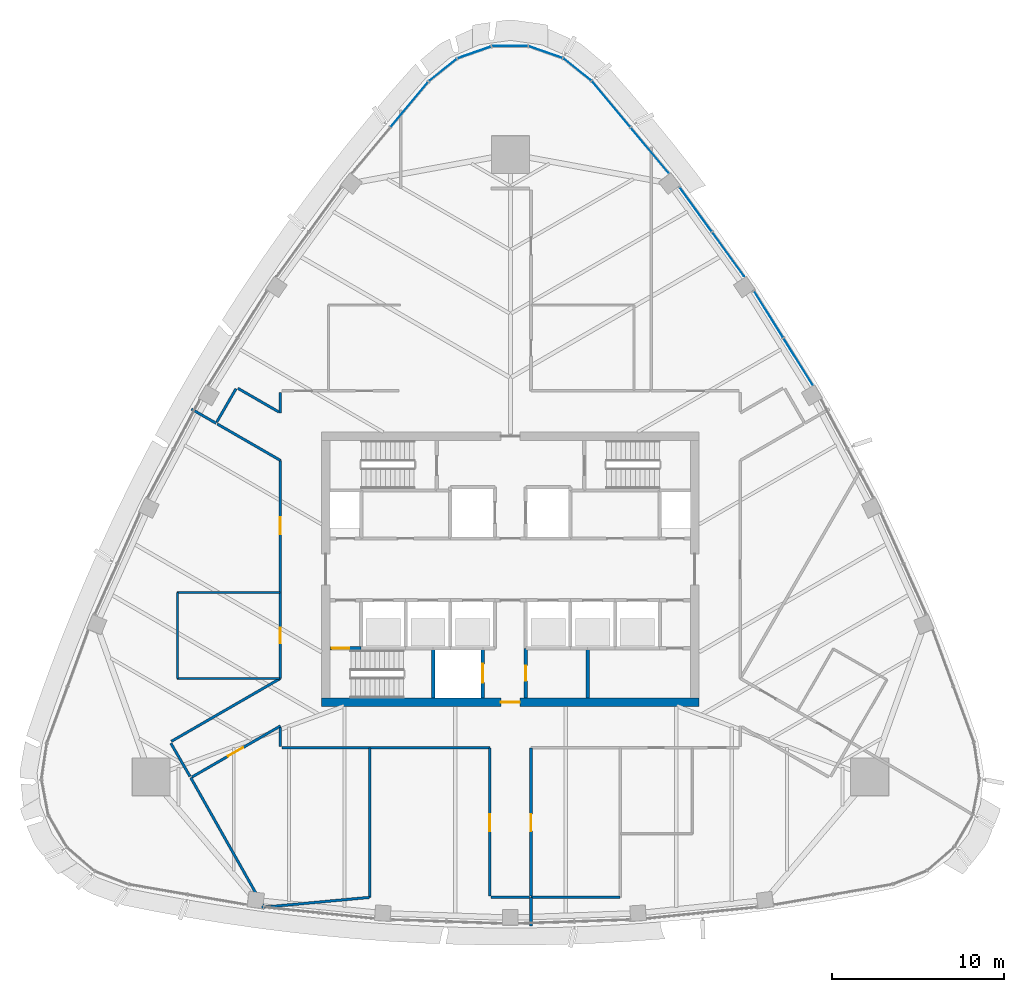
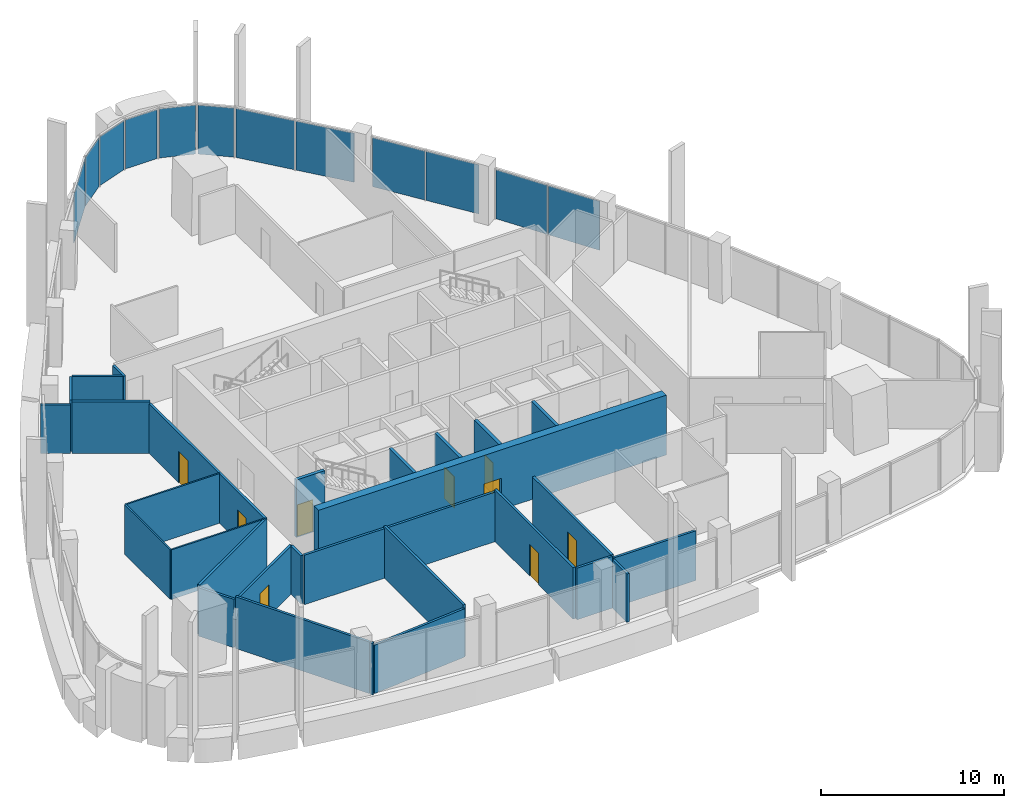
# One storey, part 8 of 18: 29 walls, 12 plates, 9 doors, 9 openings, 9 elements without a shape of their own.
"""IFC4 building model written with IfcOpenShell, lengths in metres."""

from ifc_helpers import new_model, si_unit, direction, frame, frame_2d, origin, origin_2d, place, context, subcontext, project, spatial, rectangle, extrude, material, layer, layer_set, type_object, element, fill, aggregate, save


model = new_model("IFC4")

# Units and contexts
model_context = context("Model", 3, precision=1e-05, world=origin(), true_north=direction((0.0, 1.0)))
body_context = subcontext(model_context, "Body", "Model", "MODEL_VIEW")
ifc_project = project(units=[si_unit("LENGTHUNIT", "METRE"), si_unit("AREAUNIT", "SQUARE_METRE"), si_unit("VOLUMEUNIT", "CUBIC_METRE"), si_unit("PLANEANGLEUNIT", "RADIAN"), si_unit("MASSUNIT", "GRAM", prefix="KILO")], contexts=[model_context])

# Site, building, storey
site_placement = place(None, origin())
site = spatial("IfcSite", under=ifc_project, at=site_placement, CompositionType="ELEMENT")
building_placement = place(site_placement, origin())
building = spatial("IfcBuilding", under=site, at=building_placement, Name="Sierra Prisma Convention Tower", CompositionType="ELEMENT")
storey_placement = place(building_placement, frame((0.0, 0.0, 279.0)))
storey = spatial("IfcBuildingStorey", under=building, at=storey_placement, Name="L63", CompositionType="ELEMENT", Elevation=279.0)

# Curtain wall, plates
ifc_material_1 = material(Name="Aluminium and glass curtain wall", Category="aluminium")
ifc_layer_1 = layer(ifc_material_1, 0.179931640625)
ifc_layer_set_1 = layer_set([ifc_layer_1], Name="CW-1 Plain shaft curtain wall")
curtain_wall_type = type_object("IfcCurtainWallType", Name="CW-1 Plain shaft curtain wall", PredefinedType="NOTDEFINED", material=ifc_layer_set_1)
curtain_wall_1_placement = place(storey_placement, origin())
curtain_wall_1 = element("IfcCurtainWall", 1, at=curtain_wall_1_placement, inside=storey, type_object=curtain_wall_type, Name="CW-1 NE4 L63", PredefinedType="NOTDEFINED")
ifc_material_2 = material(Name="Tinted glass bronze-grey IGU", Category="glass")
ifc_layer_2 = layer(ifc_material_2, 0.028076171875)
ifc_layer_set_2 = layer_set([ifc_layer_2], Name="CW-1 glass panel")
plate_type = type_object("IfcPlateType", Name="CW-1 glass panel", PredefinedType="CURTAIN_PANEL", material=ifc_layer_set_2)
plate_1_placement = place(storey_placement, frame((16.7626953125, 12.10986328125, 0.0), z_axis=(0.0, 0.0, 1.0), x_axis=(-0.529446263184, 0.848343476665, 0.0)))
plate_1 = element("IfcPlate", 2, at=plate_1_placement, type_object=plate_type, Name="CW-1 panel NE4.1", PredefinedType="CURTAIN_PANEL", context=body_context, shape_type="SweptSolid", body=[
    extrude(rectangle(XDim=3.1748046875, YDim=0.028076171875, at=origin_2d()), origin(), (0.0, 0.0, 1.0), 3.280029296875),
])
plate_2_placement = place(storey_placement, frame((15.044677734375, 14.86279296875, 0.0), z_axis=(0.0, 0.0, 1.0), x_axis=(-0.529446263184, 0.848343476665, 0.0)))
plate_2 = element("IfcPlate", 3, at=plate_2_placement, type_object=plate_type, Name="CW-1 panel NE4.2", PredefinedType="CURTAIN_PANEL", context=body_context, shape_type="SweptSolid", body=[
    extrude(rectangle(XDim=3.1748046875, YDim=0.028076171875, at=origin_2d()), origin(), (0.0, 0.0, 1.0), 3.280029296875),
])
aggregate(curtain_wall_1, [plate_1, plate_2])

curtain_wall_2_placement = place(storey_placement, origin())
curtain_wall_2 = element("IfcCurtainWall", 4, at=curtain_wall_2_placement, inside=storey, type_object=curtain_wall_type, Name="CW-1 NE5 L63", PredefinedType="NOTDEFINED")
plate_3_placement = place(storey_placement, frame((12.691162109375, 18.361572265625, 0.0), z_axis=(0.0, 0.0, 1.0), x_axis=(-0.586430972053, 0.8099992068, 0.0)))
plate_3 = element("IfcPlate", 5, at=plate_3_placement, type_object=plate_type, Name="CW-1 panel NE5.1", PredefinedType="CURTAIN_PANEL", context=body_context, shape_type="SweptSolid", body=[
    extrude(rectangle(XDim=3.15966796875, YDim=0.028076171875, at=origin_2d()), origin(), (0.0, 0.0, 1.0), 3.280029296875),
])
plate_4_placement = place(storey_placement, frame((10.797119140625, 20.9775390625, 0.0), z_axis=(0.0, 0.0, 1.0), x_axis=(-0.586430972053, 0.8099992068, 0.0)))
plate_4 = element("IfcPlate", 6, at=plate_4_placement, type_object=plate_type, Name="CW-1 panel NE5.2", PredefinedType="CURTAIN_PANEL", context=body_context, shape_type="SweptSolid", body=[
    extrude(rectangle(XDim=3.15966796875, YDim=0.028076171875, at=origin_2d()), origin(), (0.0, 0.0, 1.0), 3.280029296875),
])
aggregate(curtain_wall_2, [plate_3, plate_4])

curtain_wall_3_placement = place(storey_placement, origin())
curtain_wall_3 = element("IfcCurtainWall", 7, at=curtain_wall_3_placement, inside=storey, type_object=curtain_wall_type, Name="CW-1 NE6 L63", PredefinedType="NOTDEFINED")
plate_5_placement = place(storey_placement, frame((8.116943359375, 24.41943359375, 0.0), z_axis=(0.0, 0.0, 1.0), x_axis=(-0.640649169323, 0.767833733204, 0.0)))
plate_5 = element("IfcPlate", 8, at=plate_5_placement, type_object=plate_type, Name="CW-1 panel NE6.1", PredefinedType="CURTAIN_PANEL", context=body_context, shape_type="SweptSolid", body=[
    extrude(rectangle(XDim=3.40576171875, YDim=0.028076171875, at=origin_2d()), origin(), (0.0, 0.0, 1.0), 3.280029296875),
])
plate_6_placement = place(storey_placement, frame((5.890380859375, 27.088134765625, 0.0), z_axis=(0.0, 0.0, 1.0), x_axis=(-0.640649169323, 0.767833733204, 0.0)))
plate_6 = element("IfcPlate", 9, at=plate_6_placement, type_object=plate_type, Name="CW-1 panel NE6.2", PredefinedType="CURTAIN_PANEL", context=body_context, shape_type="SweptSolid", body=[
    extrude(rectangle(XDim=3.40576171875, YDim=0.028076171875, at=origin_2d()), origin(), (0.0, 0.0, 1.0), 3.280029296875),
])
aggregate(curtain_wall_3, [plate_5, plate_6])

# Curtain wall, plate
curtain_wall_4_placement = place(storey_placement, origin())
curtain_wall_4 = element("IfcCurtainWall", 10, at=curtain_wall_4_placement, inside=storey, type_object=curtain_wall_type, Name="CW-1 N1 L63", PredefinedType="NOTDEFINED")
plate_7_placement = place(storey_placement, frame((3.919189453125, 29.114990234375, 0.0), z_axis=(0.0, 0.0, 1.0), x_axis=(-0.782027996675, 0.623243301141, 0.0)))
plate_7 = element("IfcPlate", 11, at=plate_7_placement, type_object=plate_type, Name="CW-1 panel N1.1", PredefinedType="CURTAIN_PANEL", context=body_context, shape_type="SweptSolid", body=[
    extrude(rectangle(XDim=1.995849609375, YDim=0.028076171875, at=origin_2d()), origin(), (0.0, 0.0, 1.0), 3.280029296875),
])
aggregate(curtain_wall_4, [plate_7])

curtain_wall_5_placement = place(storey_placement, origin())
curtain_wall_5 = element("IfcCurtainWall", 12, at=curtain_wall_5_placement, inside=storey, type_object=curtain_wall_type, Name="CW-1 N2 L63", PredefinedType="NOTDEFINED")
plate_8_placement = place(storey_placement, frame((2.075927734375, 30.13330078125, 0.0), z_axis=(0.0, 0.0, 1.0), x_axis=(-0.943935378263, 0.330130279833, 0.0)))
plate_8 = element("IfcPlate", 13, at=plate_8_placement, type_object=plate_type, Name="CW-1 panel N2.1", PredefinedType="CURTAIN_PANEL", context=body_context, shape_type="SweptSolid", body=[
    extrude(rectangle(XDim=1.995849609375, YDim=0.028076171875, at=origin_2d()), origin(), (0.0, 0.0, 1.0), 3.280029296875),
])
aggregate(curtain_wall_5, [plate_8])

curtain_wall_6_placement = place(storey_placement, origin())
curtain_wall_6 = element("IfcCurtainWall", 14, at=curtain_wall_6_placement, inside=storey, type_object=curtain_wall_type, Name="CW-1 N3 L63", PredefinedType="NOTDEFINED")
plate_9_placement = place(storey_placement, frame((0.0, 30.48583984375, 0.0), z_axis=(0.0, 0.0, 1.0), x_axis=(-1.0, 0.0, 0.0)))
plate_9 = element("IfcPlate", 15, at=plate_9_placement, type_object=plate_type, Name="CW-1 panel N3.1", PredefinedType="CURTAIN_PANEL", context=body_context, shape_type="SweptSolid", body=[
    extrude(rectangle(XDim=1.995849609375, YDim=0.028076171875, at=origin_2d()), origin(), (0.0, 0.0, 1.0), 3.280029296875),
])
aggregate(curtain_wall_6, [plate_9])

curtain_wall_7_placement = place(storey_placement, origin())
curtain_wall_7 = element("IfcCurtainWall", 16, at=curtain_wall_7_placement, inside=storey, type_object=curtain_wall_type, Name="CW-1 N4 L63", PredefinedType="NOTDEFINED")
plate_10_placement = place(storey_placement, frame((-2.075927734375, 30.13330078125, 0.0), z_axis=(0.0, 0.0, 1.0), x_axis=(-0.943935378263, -0.330130279833, 0.0)))
plate_10 = element("IfcPlate", 17, at=plate_10_placement, type_object=plate_type, Name="CW-1 panel N4.1", PredefinedType="CURTAIN_PANEL", context=body_context, shape_type="SweptSolid", body=[
    extrude(rectangle(XDim=1.995849609375, YDim=0.028076171875, at=origin_2d()), origin(), (0.0, 0.0, 1.0), 3.280029296875),
])
aggregate(curtain_wall_7, [plate_10])

curtain_wall_8_placement = place(storey_placement, origin())
curtain_wall_8 = element("IfcCurtainWall", 18, at=curtain_wall_8_placement, inside=storey, type_object=curtain_wall_type, Name="CW-1 N5 L63", PredefinedType="NOTDEFINED")
plate_11_placement = place(storey_placement, frame((-3.919189453125, 29.114990234375, 0.0), z_axis=(0.0, 0.0, 1.0), x_axis=(-0.782027996675, -0.623243301141, 0.0)))
plate_11 = element("IfcPlate", 19, at=plate_11_placement, type_object=plate_type, Name="CW-1 panel N5.1", PredefinedType="CURTAIN_PANEL", context=body_context, shape_type="SweptSolid", body=[
    extrude(rectangle(XDim=1.995849609375, YDim=0.028076171875, at=origin_2d()), origin(), (0.0, 0.0, 1.0), 3.280029296875),
])
aggregate(curtain_wall_8, [plate_11])

curtain_wall_9_placement = place(storey_placement, origin())
curtain_wall_9 = element("IfcCurtainWall", 20, at=curtain_wall_9_placement, inside=storey, type_object=curtain_wall_type, Name="CW-1 NW1 L63", PredefinedType="NOTDEFINED")
plate_12_placement = place(storey_placement, frame((-5.890380859375, 27.088134765625, 0.0), z_axis=(0.0, 0.0, 1.0), x_axis=(-0.640649169323, -0.767833733204, 0.0)))
plate_12 = element("IfcPlate", 21, at=plate_12_placement, type_object=plate_type, Name="CW-1 panel NW1.1", PredefinedType="CURTAIN_PANEL", context=body_context, shape_type="SweptSolid", body=[
    extrude(rectangle(XDim=3.40576171875, YDim=0.028076171875, at=origin_2d()), origin(), (0.0, 0.0, 1.0), 3.280029296875),
])
aggregate(curtain_wall_9, [plate_12])

# Walls
ifc_material_3 = material(Name="Gypsum board partition", Category="gypsum")
ifc_layer_3 = layer(ifc_material_3, 0.10009765625)
ifc_layer_set_3 = layer_set([ifc_layer_3], Name="Bathroom partition 100")
wall_type_1 = type_object("IfcWallType", Name="Bathroom partition 100", PredefinedType="PARTITIONING", material=ifc_layer_set_3)
wall_1_placement = place(storey_placement, frame((-13.4599609375, -6.350830078125, 0.0), z_axis=(0.0, 0.0, 1.0), x_axis=(-1.0, 0.0, 0.0)))
element("IfcWall", 22, at=wall_1_placement, inside=storey, type_object=wall_type_1, Name="Partition L63 bath 1", PredefinedType="PARTITIONING", context=body_context, shape_type="SweptSolid", body=[
    extrude(rectangle(XDim=5.93994140625, YDim=0.10009765625, at=frame_2d((2.969970703125, 0.0))), origin(), (0.0, 0.0, 1.0), 3.31689453125),
])
wall_2_placement = place(storey_placement, frame((-19.39990234375, -6.350830078125, 0.0), z_axis=(0.0, 0.0, 1.0), x_axis=(0.0, 1.0, 0.0)))
element("IfcWall", 23, at=wall_2_placement, inside=storey, type_object=wall_type_1, Name="Partition L63 bath 2", PredefinedType="PARTITIONING", context=body_context, shape_type="SweptSolid", body=[
    extrude(rectangle(XDim=5.0, YDim=0.10009765625, at=frame_2d((2.5, 0.0))), origin(), (0.0, 0.0, 1.0), 3.31689453125),
])
wall_3_placement = place(storey_placement, frame((-19.39990234375, -1.350830078125, 0.0), z_axis=(0.0, 0.0, 1.0), x_axis=(1.0, 0.0, 0.0)))
element("IfcWall", 24, at=wall_3_placement, inside=storey, type_object=wall_type_1, Name="Partition L63 bath 3", PredefinedType="PARTITIONING", context=body_context, shape_type="SweptSolid", body=[
    extrude(rectangle(XDim=5.969970703125, YDim=0.10009765625, at=frame_2d((2.98486328125, 0.0))), origin(), (0.0, 0.0, 1.0), 3.31689453125),
])

# Wall, opening, door
ifc_material_4 = material(Name="Concrete C30/37", Category="concrete")
ifc_layer_4 = layer(ifc_material_4, 0.199951171875)
ifc_layer_set_4 = layer_set([ifc_layer_4], Name="Core wall RC 200 C30/37")
wall_type_2 = type_object("IfcWallType", Name="Core wall RC 200 C30/37", PredefinedType="SOLIDWALL", material=ifc_layer_set_4)
wall_4_placement = place(storey_placement, frame((-10.5, -4.60009765625, 0.0), z_axis=(0.0, 0.0, 1.0), x_axis=(1.0, 0.0, 0.0)))
wall_4 = element("IfcWall", 25, at=wall_4_placement, inside=storey, type_object=wall_type_2, Name="Core wall L63 1", PredefinedType="SOLIDWALL", context=body_context, shape_type="SweptSolid", body=[
    extrude(rectangle(XDim=1.800048828125, YDim=0.199951171875, at=frame_2d((0.89990234375, 0.0))), origin(), (0.0, 0.0, 1.0), 3.85009765625),
])
opening_1_placement = place(wall_4_placement, frame((0.10009765625, 0.0, 0.0)))
opening_1 = element("IfcOpeningElement", 26, at=opening_1_placement, cuts=wall_4, Name="Opening L63-D015", PredefinedType="OPENING", context=body_context, shape_type="SweptSolid", body=[
    extrude(rectangle(XDim=1.0, YDim=2.10009765625, at=frame_2d((0.5, 1.050048828125))), frame((0.0, 0.10009765625, 0.0), z_axis=(0.0, -1.0, 0.0), x_axis=(1.0, 0.0, 0.0)), (0.0, 0.0, 1.0), 0.199951171875),
])
ifc_material_5 = material(Name="Steel fire door leaf", Category="steel")
door_type_1 = type_object("IfcDoorType", Name="Door 1000x2100 FD90S", OperationType="SINGLE_SWING_LEFT", PredefinedType="DOOR", material=ifc_material_5)
door_1_placement = place(opening_1_placement, origin())
door_1 = element("IfcDoor", 27, at=door_1_placement, inside=storey, type_object=door_type_1, Name="Door L63 30", OperationType="SINGLE_SWING_LEFT", OverallHeight=2.10009765625, OverallWidth=1.0, PredefinedType="DOOR", context=body_context, shape_type="SweptSolid", body=[
    extrude(rectangle(XDim=1.0, YDim=2.10009765625, at=frame_2d((0.5, 1.050048828125))), frame((0.0, 0.02490234375, 0.0), z_axis=(0.0, -1.0, 0.0), x_axis=(1.0, 0.0, 0.0)), (0.0, 0.0, 1.0), 0.050048828125),
])
fill(opening_1, door_1)

# Wall
wall_5_placement = place(storey_placement, frame((-4.5, -4.60009765625, 0.0), z_axis=(0.0, 0.0, 1.0), x_axis=(0.0, -1.0, 0.0)))
element("IfcWall", 28, at=wall_5_placement, inside=storey, type_object=wall_type_2, Name="Core wall L63 14", PredefinedType="SOLIDWALL", context=body_context, shape_type="SweptSolid", body=[
    extrude(rectangle(XDim=2.89990234375, YDim=0.199951171875, at=frame_2d((1.449951171875, 0.0))), origin(), (0.0, 0.0, 1.0), 3.85009765625),
])

# Wall, opening, door
wall_6_placement = place(storey_placement, frame((-1.60009765625, -7.5, 0.0), z_axis=(0.0, 0.0, 1.0), x_axis=(0.0, 1.0, 0.0)))
wall_6 = element("IfcWall", 29, at=wall_6_placement, inside=storey, type_object=wall_type_2, Name="Core wall L63 26", PredefinedType="SOLIDWALL", context=body_context, shape_type="SweptSolid", body=[
    extrude(rectangle(XDim=2.89990234375, YDim=0.199951171875, at=frame_2d((1.449951171875, 0.0))), origin(), (0.0, 0.0, 1.0), 3.85009765625),
])
opening_2_placement = place(wall_6_placement, frame((0.89990234375, 0.0, 0.0)))
opening_2 = element("IfcOpeningElement", 30, at=opening_2_placement, cuts=wall_6, Name="Opening L63-D009", PredefinedType="OPENING", context=body_context, shape_type="SweptSolid", body=[
    extrude(rectangle(XDim=1.10009765625, YDim=2.10009765625, at=frame_2d((0.550048828125, 1.050048828125))), frame((0.0, 0.10009765625, 0.0), z_axis=(0.0, -1.0, 0.0), x_axis=(1.0, 0.0, 0.0)), (0.0, 0.0, 1.0), 0.199951171875),
])
ifc_material_6 = material(Name="Steel fire door leaf", Category="steel")
door_type_2 = type_object("IfcDoorType", Name="Door 1100x2100 EI 90 sliding lift landing", OperationType="SLIDING_TO_LEFT", PredefinedType="DOOR", material=ifc_material_6)
door_2_placement = place(opening_2_placement, origin())
door_2 = element("IfcDoor", 31, at=door_2_placement, inside=storey, type_object=door_type_2, Name="Door L63 24", OperationType="SLIDING_TO_RIGHT", OverallHeight=2.10009765625, OverallWidth=1.10009765625, PredefinedType="DOOR", context=body_context, shape_type="SweptSolid", body=[
    extrude(rectangle(XDim=1.10009765625, YDim=2.10009765625, at=frame_2d((0.550048828125, 1.050048828125))), frame((0.0, 0.02490234375, 0.0), z_axis=(0.0, -1.0, 0.0), x_axis=(1.0, 0.0, 0.0)), (0.0, 0.0, 1.0), 0.050048828125),
])
fill(opening_2, door_2)

wall_7_placement = place(storey_placement, frame((0.89990234375, -4.60009765625, 0.0), z_axis=(0.0, 0.0, 1.0), x_axis=(0.0, -1.0, 0.0)))
wall_7 = element("IfcWall", 32, at=wall_7_placement, inside=storey, type_object=wall_type_2, Name="Core wall L63 31", PredefinedType="SOLIDWALL", context=body_context, shape_type="SweptSolid", body=[
    extrude(rectangle(XDim=2.89990234375, YDim=0.199951171875, at=frame_2d((1.449951171875, 0.0))), origin(), (0.0, 0.0, 1.0), 3.85009765625),
])
opening_3_placement = place(wall_7_placement, frame((1.0, 0.0, 0.0)))
opening_3 = element("IfcOpeningElement", 33, at=opening_3_placement, cuts=wall_7, Name="Opening L63-D022", PredefinedType="OPENING", context=body_context, shape_type="SweptSolid", body=[
    extrude(rectangle(XDim=0.89990234375, YDim=2.10009765625, at=frame_2d((0.449951171875, 1.050048828125))), frame((0.0, 0.10009765625, 0.0), z_axis=(0.0, -1.0, 0.0), x_axis=(1.0, 0.0, 0.0)), (0.0, 0.0, 1.0), 0.199951171875),
])
ifc_material_7 = material(Name="Steel fire door leaf", Category="steel")
door_type_3 = type_object("IfcDoorType", Name="Door 900x2100 FD30S", OperationType="SINGLE_SWING_LEFT", PredefinedType="DOOR", material=ifc_material_7)
door_3_placement = place(opening_3_placement, origin())
door_3 = element("IfcDoor", 34, at=door_3_placement, inside=storey, type_object=door_type_3, Name="Door L63 37", OperationType="SINGLE_SWING_RIGHT", OverallHeight=2.10009765625, OverallWidth=0.89990234375, PredefinedType="DOOR", context=body_context, shape_type="SweptSolid", body=[
    extrude(rectangle(XDim=0.89990234375, YDim=2.10009765625, at=frame_2d((0.449951171875, 1.050048828125))), frame((0.0, 0.02490234375, 0.0), z_axis=(0.0, -1.0, 0.0), x_axis=(1.0, 0.0, 0.0)), (0.0, 0.0, 1.0), 0.050048828125),
])
fill(opening_3, door_3)

# Wall
wall_8_placement = place(storey_placement, frame((4.5, -4.60009765625, 0.0), z_axis=(0.0, 0.0, 1.0), x_axis=(0.0, -1.0, 0.0)))
element("IfcWall", 35, at=wall_8_placement, inside=storey, type_object=wall_type_2, Name="Core wall L63 47", PredefinedType="SOLIDWALL", context=body_context, shape_type="SweptSolid", body=[
    extrude(rectangle(XDim=2.89990234375, YDim=0.199951171875, at=frame_2d((1.449951171875, 0.0))), origin(), (0.0, 0.0, 1.0), 3.85009765625),
])

# Wall, opening, door
ifc_material_8 = material(Name="Concrete C50/60", Category="concrete")
ifc_layer_5 = layer(ifc_material_8, 0.5)
ifc_layer_set_5 = layer_set([ifc_layer_5], Name="Core wall RC 500 C50/60")
wall_type_3 = type_object("IfcWallType", Name="Core wall RC 500 C50/60", PredefinedType="SHEAR", material=ifc_layer_set_5)
wall_9_placement = place(storey_placement, frame((-11.0, -7.75, 0.0), z_axis=(0.0, 0.0, 1.0), x_axis=(1.0, 0.0, 0.0)))
wall_9 = element("IfcWall", 36, at=wall_9_placement, inside=storey, type_object=wall_type_3, Name="Core wall S L63", PredefinedType="SHEAR", context=body_context, shape_type="SweptSolid", body=[
    extrude(rectangle(XDim=22.0, YDim=0.5, at=frame_2d((11.0, 0.0))), origin(), (0.0, 0.0, 1.0), 4.0),
])
opening_4_placement = place(wall_9_placement, frame((10.449951171875, 0.0, 0.0)))
opening_4 = element("IfcOpeningElement", 37, at=opening_4_placement, cuts=wall_9, Name="Opening L63-D040", PredefinedType="OPENING", context=body_context, shape_type="SweptSolid", body=[
    extrude(rectangle(XDim=1.10009765625, YDim=2.10009765625, at=frame_2d((0.550048828125, 1.050048828125))), frame((0.0, 0.25, 0.0), z_axis=(0.0, -1.0, 0.0), x_axis=(1.0, 0.0, 0.0)), (0.0, 0.0, 1.0), 0.5),
])
ifc_material_9 = material(Name="Steel fire door leaf", Category="steel")
door_type_4 = type_object("IfcDoorType", Name="Door 1100x2100 FD30S", OperationType="SINGLE_SWING_LEFT", PredefinedType="DOOR", material=ifc_material_9)
door_4_placement = place(opening_4_placement, origin())
door_4 = element("IfcDoor", 38, at=door_4_placement, inside=storey, type_object=door_type_4, Name="Door L63 41", OperationType="SINGLE_SWING_RIGHT", OverallHeight=2.10009765625, OverallWidth=1.10009765625, PredefinedType="DOOR", context=body_context, shape_type="SweptSolid", body=[
    extrude(rectangle(XDim=1.10009765625, YDim=2.10009765625, at=frame_2d((0.550048828125, 1.050048828125))), frame((0.0, 0.02490234375, 0.0), z_axis=(0.0, -1.0, 0.0), x_axis=(1.0, 0.0, 0.0)), (0.0, 0.0, 1.0), 0.050048828125),
])
fill(opening_4, door_4)

# Walls
ifc_material_10 = material(Name="Gypsum board partition", Category="gypsum")
ifc_layer_6 = layer(ifc_material_10, 0.14990234375)
ifc_layer_set_6 = layer_set([ifc_layer_6], Name="Corridor wall 150 gypsum EI 60")
wall_type_4 = type_object("IfcWallType", Name="Corridor wall 150 gypsum EI 60", PredefinedType="PARTITIONING", material=ifc_layer_set_6)
wall_10_placement = place(storey_placement, frame((-19.783447265625, -10.128662109375, 0.0), z_axis=(0.0, 0.0, 1.0), x_axis=(0.500030632641, -0.866007717299, 0.0)))
element("IfcWall", 39, at=wall_10_placement, inside=storey, type_object=wall_type_4, Name="Partition L63 corr 1", PredefinedType="PARTITIONING", context=body_context, shape_type="SweptSolid", body=[
    extrude(rectangle(XDim=2.239990234375, YDim=0.14990234375, at=frame_2d((1.1201171875, 0.0))), origin(), (0.0, 0.0, 1.0), 3.23291015625),
])
wall_11_placement = place(storey_placement, frame((-17.080322265625, 8.4755859375, 0.0), z_axis=(0.0, 0.0, 1.0), x_axis=(0.866039217307, -0.499976073514, 0.0)))
element("IfcWall", 40, at=wall_11_placement, inside=storey, type_object=wall_type_4, Name="Partition L63 corr 2", PredefinedType="PARTITIONING", context=body_context, shape_type="SweptSolid", body=[
    extrude(rectangle(XDim=4.249755859375, YDim=0.14990234375, at=frame_2d((2.125, 0.0))), origin(), (0.0, 0.0, 1.0), 3.449951171875),
])

# Wall, openings, doors
wall_12_placement = place(storey_placement, frame((-13.39990234375, 6.350830078125, 0.0), z_axis=(0.0, 0.0, 1.0), x_axis=(0.0, -1.0, 0.0)))
wall_12 = element("IfcWall", 41, at=wall_12_placement, inside=storey, type_object=wall_type_4, Name="Partition L63 corr 3", PredefinedType="PARTITIONING", context=body_context, shape_type="SweptSolid", body=[
    extrude(rectangle(XDim=12.70166015625, YDim=0.14990234375, at=frame_2d((6.350830078125, 0.0))), origin(), (0.0, 0.0, 1.0), 3.31689453125),
])
opening_5_placement = place(wall_12_placement, frame((9.751708984375, 0.0, 0.0)))
opening_5 = element("IfcOpeningElement", 42, at=opening_5_placement, cuts=wall_12, Name="Opening L63-D029", PredefinedType="OPENING", context=body_context, shape_type="SweptSolid", body=[
    extrude(rectangle(XDim=0.89990234375, YDim=2.10009765625, at=frame_2d((0.449951171875, 1.050048828125))), frame((0.0, 0.074951171875, 0.0), z_axis=(0.0, -1.0, 0.0), x_axis=(1.0, 0.0, 0.0)), (0.0, 0.0, 1.0), 0.14990234375),
])
opening_6_placement = place(wall_12_placement, frame((3.30078125, 0.0, 0.0)))
opening_6 = element("IfcOpeningElement", 43, at=opening_6_placement, cuts=wall_12, Name="Opening L63-D030", PredefinedType="OPENING", context=body_context, shape_type="SweptSolid", body=[
    extrude(rectangle(XDim=1.0, YDim=2.10009765625, at=frame_2d((0.5, 1.050048828125))), frame((0.0, 0.074951171875, 0.0), z_axis=(0.0, -1.0, 0.0), x_axis=(1.0, 0.0, 0.0)), (0.0, 0.0, 1.0), 0.14990234375),
])
ifc_material_11 = material(Name="Steel fire door leaf", Category="steel")
door_type_5 = type_object("IfcDoorType", Name="Door 1000x2100 FD30S", OperationType="SINGLE_SWING_LEFT", PredefinedType="DOOR", material=ifc_material_11)
door_5_placement = place(opening_6_placement, origin())
door_5 = element("IfcDoor", 44, at=door_5_placement, inside=storey, type_object=door_type_5, Name="Door L63 8", OperationType="SINGLE_SWING_LEFT", OverallHeight=2.10009765625, OverallWidth=1.0, PredefinedType="DOOR", context=body_context, shape_type="SweptSolid", body=[
    extrude(rectangle(XDim=1.0, YDim=2.10009765625, at=frame_2d((0.5, 1.050048828125))), frame((0.0, 0.02490234375, 0.0), z_axis=(0.0, -1.0, 0.0), x_axis=(1.0, 0.0, 0.0)), (0.0, 0.0, 1.0), 0.050048828125),
])
fill(opening_6, door_5)
door_6_placement = place(opening_5_placement, origin())
door_6 = element("IfcDoor", 45, at=door_6_placement, inside=storey, type_object=door_type_3, Name="Door L63 7", OperationType="SINGLE_SWING_LEFT", OverallHeight=2.10009765625, OverallWidth=0.89990234375, PredefinedType="DOOR", context=body_context, shape_type="SweptSolid", body=[
    extrude(rectangle(XDim=0.89990234375, YDim=2.10009765625, at=frame_2d((0.449951171875, 1.050048828125))), frame((0.0, 0.02490234375, 0.0), z_axis=(0.0, -1.0, 0.0), x_axis=(1.0, 0.0, 0.0)), (0.0, 0.0, 1.0), 0.050048828125),
])
fill(opening_5, door_6)

# Wall
wall_13_placement = place(storey_placement, frame((-13.39990234375, -6.350830078125, 0.0), z_axis=(0.0, 0.0, 1.0), x_axis=(-0.866035423939, -0.499982644181, 0.0)))
element("IfcWall", 46, at=wall_13_placement, inside=storey, type_object=wall_type_4, Name="Partition L63 corr 4", PredefinedType="PARTITIONING", context=body_context, shape_type="SweptSolid", body=[
    extrude(rectangle(XDim=7.337158203125, YDim=0.14990234375, at=frame_2d((3.66845703125, 0.0))), origin(), (0.0, 0.0, 1.0), 3.31689453125),
])

# Wall, opening, door
wall_14_placement = place(storey_placement, frame((-18.55419921875, -12.097900390625, 0.0), z_axis=(0.0, 0.0, 1.0), x_axis=(0.866025739194, 0.499999419053, 0.0)))
wall_14 = element("IfcWall", 47, at=wall_14_placement, inside=storey, type_object=wall_type_4, Name="Partition L63 corr 5", PredefinedType="PARTITIONING", context=body_context, shape_type="SweptSolid", body=[
    extrude(rectangle(XDim=5.95166015625, YDim=0.14990234375, at=frame_2d((2.975830078125, 0.0))), origin(), (0.0, 0.0, 1.0), 3.23291015625),
])
opening_7_placement = place(wall_14_placement, frame((2.435791015625, 0.0, 0.0)))
opening_7 = element("IfcOpeningElement", 48, at=opening_7_placement, cuts=wall_14, Name="Opening L63-D031", PredefinedType="OPENING", context=body_context, shape_type="SweptSolid", body=[
    extrude(rectangle(XDim=1.0, YDim=2.10009765625, at=frame_2d((0.5, 1.050048828125))), frame((0.0, 0.074951171875, 0.0), z_axis=(0.0, -1.0, 0.0), x_axis=(1.0, 0.0, 0.0)), (0.0, 0.0, 1.0), 0.14990234375),
])
door_7_placement = place(opening_7_placement, origin())
door_7 = element("IfcDoor", 49, at=door_7_placement, inside=storey, type_object=door_type_5, Name="Door L63 9", OperationType="SINGLE_SWING_LEFT", OverallHeight=2.10009765625, OverallWidth=1.0, PredefinedType="DOOR", context=body_context, shape_type="SweptSolid", body=[
    extrude(rectangle(XDim=1.0, YDim=2.10009765625, at=frame_2d((0.5, 1.050048828125))), frame((0.0, 0.02490234375, 0.0), z_axis=(0.0, -1.0, 0.0), x_axis=(1.0, 0.0, 0.0)), (0.0, 0.0, 1.0), 0.050048828125),
])
fill(opening_7, door_7)

# Walls
wall_15_placement = place(storey_placement, frame((-13.39990234375, -9.213623046875, 0.0), z_axis=(0.0, 0.0, 1.0), x_axis=(0.0, -1.0, 0.0)))
element("IfcWall", 50, at=wall_15_placement, inside=storey, type_object=wall_type_4, Name="Partition L63 corr 6", PredefinedType="PARTITIONING", context=body_context, shape_type="SweptSolid", body=[
    extrude(rectangle(XDim=1.1064453125, YDim=0.14990234375, at=frame_2d((0.55322265625, 0.0))), origin(), (0.0, 0.0, 1.0), 3.23291015625),
])
wall_16_placement = place(storey_placement, frame((-15.98974609375, 10.52490234375, 0.0), z_axis=(0.0, 0.0, 1.0), x_axis=(-0.49994888933, -0.866054910533, 0.0)))
element("IfcWall", 51, at=wall_16_placement, inside=storey, type_object=wall_type_4, Name="Partition L63 corr 7", PredefinedType="PARTITIONING", context=body_context, shape_type="SweptSolid", body=[
    extrude(rectangle(XDim=2.239990234375, YDim=0.14990234375, at=frame_2d((1.1201171875, 0.0))), origin(), (0.0, 0.0, 1.0), 3.449951171875),
])
wall_17_placement = place(storey_placement, frame((-13.39990234375, 10.320068359375, 0.0), z_axis=(0.0, 0.0, 1.0), x_axis=(0.0, -1.0, 0.0)))
element("IfcWall", 52, at=wall_17_placement, inside=storey, type_object=wall_type_4, Name="Partition L63 corr 8", PredefinedType="PARTITIONING", context=body_context, shape_type="SweptSolid", body=[
    extrude(rectangle(XDim=1.197998046875, YDim=0.14990234375, at=frame_2d((0.59912109375, 0.0))), origin(), (0.0, 0.0, 1.0), 3.449951171875),
])
wall_18_placement = place(storey_placement, frame((-13.479248046875, 9.16796875, 0.0), z_axis=(0.0, 0.0, 1.0), x_axis=(-0.866034550818, 0.499984156538, 0.0)))
element("IfcWall", 53, at=wall_18_placement, inside=storey, type_object=wall_type_4, Name="Partition L63 corr 9", PredefinedType="PARTITIONING", context=body_context, shape_type="SweptSolid", body=[
    extrude(rectangle(XDim=2.7724609375, YDim=0.14990234375, at=frame_2d((1.38623046875, 0.0))), origin(), (0.0, 0.0, 1.0), 3.449951171875),
])
wall_19_placement = place(storey_placement, frame((-13.320068359375, -10.39990234375, 0.0), z_axis=(0.0, 0.0, 1.0), x_axis=(1.0, 0.0, 0.0)))
element("IfcWall", 54, at=wall_19_placement, inside=storey, type_object=wall_type_4, Name="Partition L63 corr 10", PredefinedType="PARTITIONING", context=body_context, shape_type="SweptSolid", body=[
    extrude(rectangle(XDim=12.1201171875, YDim=0.14990234375, at=frame_2d((6.06005859375, 0.0))), origin(), (0.0, 0.0, 1.0), 3.31689453125),
])

# Wall, opening, door
wall_20_placement = place(storey_placement, frame((-1.199951171875, -10.39990234375, 0.0), z_axis=(0.0, 0.0, 1.0), x_axis=(0.0, -1.0, 0.0)))
wall_20 = element("IfcWall", 55, at=wall_20_placement, inside=storey, type_object=wall_type_4, Name="Partition L63 corr 11", PredefinedType="PARTITIONING", context=body_context, shape_type="SweptSolid", body=[
    extrude(rectangle(XDim=8.6298828125, YDim=0.14990234375, at=frame_2d((4.31494140625, 0.0))), origin(), (0.0, 0.0, 1.0), 3.449951171875),
])
opening_8_placement = place(wall_20_placement, frame((3.85498046875, 0.0, 0.0)))
opening_8 = element("IfcOpeningElement", 56, at=opening_8_placement, cuts=wall_20, Name="Opening L63-D032", PredefinedType="OPENING", context=body_context, shape_type="SweptSolid", body=[
    extrude(rectangle(XDim=1.0, YDim=2.10009765625, at=frame_2d((0.5, 1.050048828125))), frame((0.0, 0.074951171875, 0.0), z_axis=(0.0, -1.0, 0.0), x_axis=(1.0, 0.0, 0.0)), (0.0, 0.0, 1.0), 0.14990234375),
])
door_8_placement = place(opening_8_placement, origin())
door_8 = element("IfcDoor", 57, at=door_8_placement, inside=storey, type_object=door_type_5, Name="Door L63 10", OperationType="SINGLE_SWING_RIGHT", OverallHeight=2.10009765625, OverallWidth=1.0, PredefinedType="DOOR", context=body_context, shape_type="SweptSolid", body=[
    extrude(rectangle(XDim=1.0, YDim=2.10009765625, at=frame_2d((0.5, 1.050048828125))), frame((0.0, 0.02490234375, 0.0), z_axis=(0.0, -1.0, 0.0), x_axis=(1.0, 0.0, 0.0)), (0.0, 0.0, 1.0), 0.050048828125),
])
fill(opening_8, door_8)

# Wall
wall_21_placement = place(storey_placement, frame((-1.1201171875, -19.10986328125, 0.0), z_axis=(0.0, 0.0, 1.0), x_axis=(1.0, 0.0, 0.0)))
element("IfcWall", 58, at=wall_21_placement, inside=storey, type_object=wall_type_4, Name="Partition L63 corr 13", PredefinedType="PARTITIONING", context=body_context, shape_type="SweptSolid", body=[
    extrude(rectangle(XDim=2.240234375, YDim=0.14990234375, at=frame_2d((1.1201171875, 0.0))), origin(), (0.0, 0.0, 1.0), 3.449951171875),
])

# Wall, opening, door
wall_22_placement = place(storey_placement, frame((1.199951171875, -19.02978515625, 0.0), z_axis=(0.0, 0.0, 1.0), x_axis=(0.0, 1.0, 0.0)))
wall_22 = element("IfcWall", 59, at=wall_22_placement, inside=storey, type_object=wall_type_4, Name="Partition L63 corr 15", PredefinedType="PARTITIONING", context=body_context, shape_type="SweptSolid", body=[
    extrude(rectangle(XDim=8.6298828125, YDim=0.14990234375, at=frame_2d((4.31494140625, 0.0))), origin(), (0.0, 0.0, 1.0), 3.449951171875),
])
opening_9_placement = place(wall_22_placement, frame((3.77490234375, 0.0, 0.0)))
opening_9 = element("IfcOpeningElement", 60, at=opening_9_placement, cuts=wall_22, Name="Opening L63-D033", PredefinedType="OPENING", context=body_context, shape_type="SweptSolid", body=[
    extrude(rectangle(XDim=1.0, YDim=2.10009765625, at=frame_2d((0.5, 1.050048828125))), frame((0.0, 0.074951171875, 0.0), z_axis=(0.0, -1.0, 0.0), x_axis=(1.0, 0.0, 0.0)), (0.0, 0.0, 1.0), 0.14990234375),
])
door_9_placement = place(opening_9_placement, origin())
door_9 = element("IfcDoor", 61, at=door_9_placement, inside=storey, type_object=door_type_5, Name="Door L63 11", OperationType="SINGLE_SWING_LEFT", OverallHeight=2.10009765625, OverallWidth=1.0, PredefinedType="DOOR", context=body_context, shape_type="SweptSolid", body=[
    extrude(rectangle(XDim=1.0, YDim=2.10009765625, at=frame_2d((0.5, 1.050048828125))), frame((0.0, 0.02490234375, 0.0), z_axis=(0.0, -1.0, 0.0), x_axis=(1.0, 0.0, 0.0)), (0.0, 0.0, 1.0), 0.050048828125),
])
fill(opening_9, door_9)

# Walls
ifc_material_12 = material(Name="Gypsum board partition", Category="gypsum")
ifc_layer_7 = layer(ifc_material_12, 0.14990234375)
ifc_layer_set_7 = layer_set([ifc_layer_7], Name="Party wall 150 gypsum")
wall_type_5 = type_object("IfcWallType", Name="Party wall 150 gypsum", PredefinedType="PARTITIONING", material=ifc_layer_set_7)
wall_23_placement = place(storey_placement, frame((-18.623291015625, -12.137939453125, 0.0), z_axis=(0.0, 0.0, 1.0), x_axis=(0.491162356309, -0.871068045416, 0.0)))
element("IfcWall", 62, at=wall_23_placement, inside=storey, type_object=wall_type_5, Name="Partition L63 party 1", PredefinedType="PARTITIONING", context=body_context, shape_type="SweptSolid", body=[
    extrude(rectangle(XDim=8.551513671875, YDim=0.14990234375, at=frame_2d((4.27587890625, 0.0))), origin(), (0.0, 0.0, 1.0), 3.449951171875),
])
wall_24_placement = place(storey_placement, frame((-17.149658203125, 8.515625, 0.0), z_axis=(0.0, 0.0, 1.0), x_axis=(-0.865984256307, 0.50007126275, 0.0)))
element("IfcWall", 63, at=wall_24_placement, inside=storey, type_object=wall_type_5, Name="Partition L63 party 2", PredefinedType="PARTITIONING", context=body_context, shape_type="SweptSolid", body=[
    extrude(rectangle(XDim=1.656005859375, YDim=0.14990234375, at=frame_2d((0.828125, 0.0))), origin(), (0.0, 0.0, 1.0), 3.23388671875),
])
wall_25_placement = place(storey_placement, frame((-8.199951171875, -10.39990234375, 0.0), z_axis=(0.0, 0.0, 1.0), x_axis=(0.0, -1.0, 0.0)))
element("IfcWall", 64, at=wall_25_placement, inside=storey, type_object=wall_type_5, Name="Partition L63 party 3", PredefinedType="PARTITIONING", context=body_context, shape_type="SweptSolid", body=[
    extrude(rectangle(XDim=8.7099609375, YDim=0.14990234375, at=frame_2d((4.35498046875, 0.0))), origin(), (0.0, 0.0, 1.0), 3.449951171875),
])
wall_26_placement = place(storey_placement, frame((-8.199951171875, -19.10986328125, 0.0), z_axis=(0.0, 0.0, 1.0), x_axis=(-0.995719825194, -0.092423101639, 0.0)))
element("IfcWall", 65, at=wall_26_placement, inside=storey, type_object=wall_type_5, Name="Partition L63 party 4", PredefinedType="PARTITIONING", context=body_context, shape_type="SweptSolid", body=[
    extrude(rectangle(XDim=6.099365234375, YDim=0.14990234375, at=frame_2d((3.0498046875, 0.0))), origin(), (0.0, 0.0, 1.0), 3.23388671875),
])
wall_27_placement = place(storey_placement, frame((-14.322998046875, -19.760009765625, 0.0), z_axis=(0.0, 0.0, 1.0), x_axis=(-0.709632138317, 0.704572372625, 0.0)))
element("IfcWall", 66, at=wall_27_placement, inside=storey, type_object=wall_type_5, Name="Partition L63 party 5", PredefinedType="PARTITIONING", context=body_context, shape_type="SweptSolid", body=[
    extrude(rectangle(XDim=0.193115234375, YDim=0.14990234375, at=frame_2d((0.0966796875, 0.0))), origin(), (0.0, 0.0, 1.0), 3.449951171875),
])
wall_28_placement = place(storey_placement, frame((6.39990234375, -19.10986328125, 0.0), z_axis=(0.0, 0.0, 1.0), x_axis=(-1.0, 0.0, 0.0)))
element("IfcWall", 67, at=wall_28_placement, inside=storey, type_object=wall_type_5, Name="Partition L63 party 8", PredefinedType="PARTITIONING", context=body_context, shape_type="SweptSolid", body=[
    extrude(rectangle(XDim=5.199951171875, YDim=0.14990234375, at=frame_2d((2.60009765625, 0.0))), origin(), (0.0, 0.0, 1.0), 3.31689453125),
])
wall_29_placement = place(storey_placement, frame((1.199951171875, -19.10986328125, 0.0), z_axis=(0.0, 0.0, 1.0), x_axis=(0.0, -1.0, 0.0)))
element("IfcWall", 68, at=wall_29_placement, inside=storey, type_object=wall_type_5, Name="Partition L63 party 9", PredefinedType="PARTITIONING", context=body_context, shape_type="SweptSolid", body=[
    extrude(rectangle(XDim=1.656005859375, YDim=0.14990234375, at=frame_2d((0.828125, 0.0))), origin(), (0.0, 0.0, 1.0), 3.23388671875),
])

save(model, "model.ifc")
